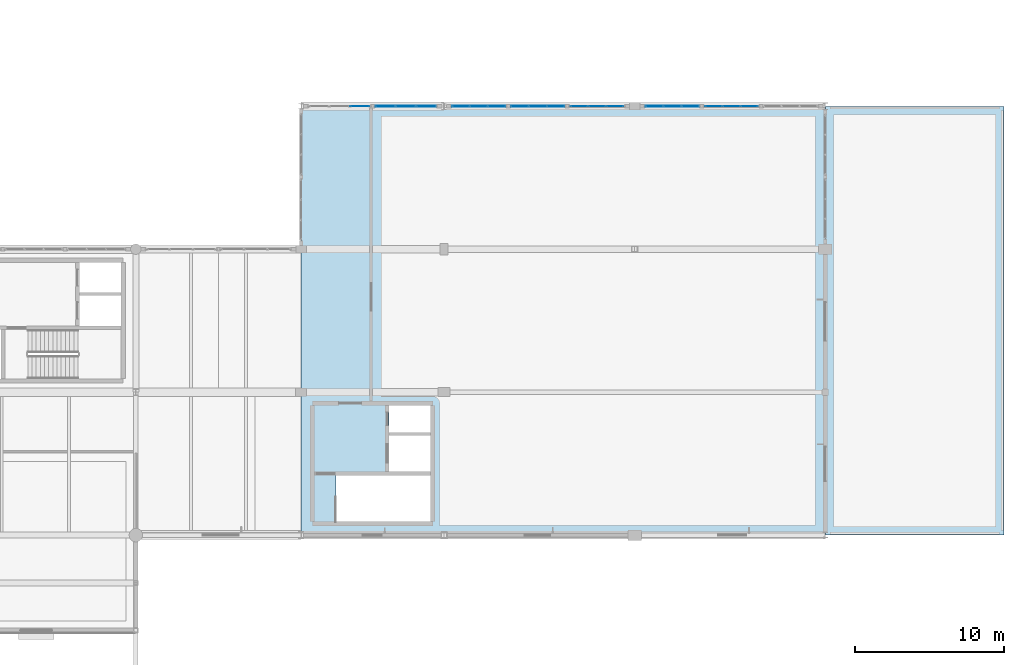
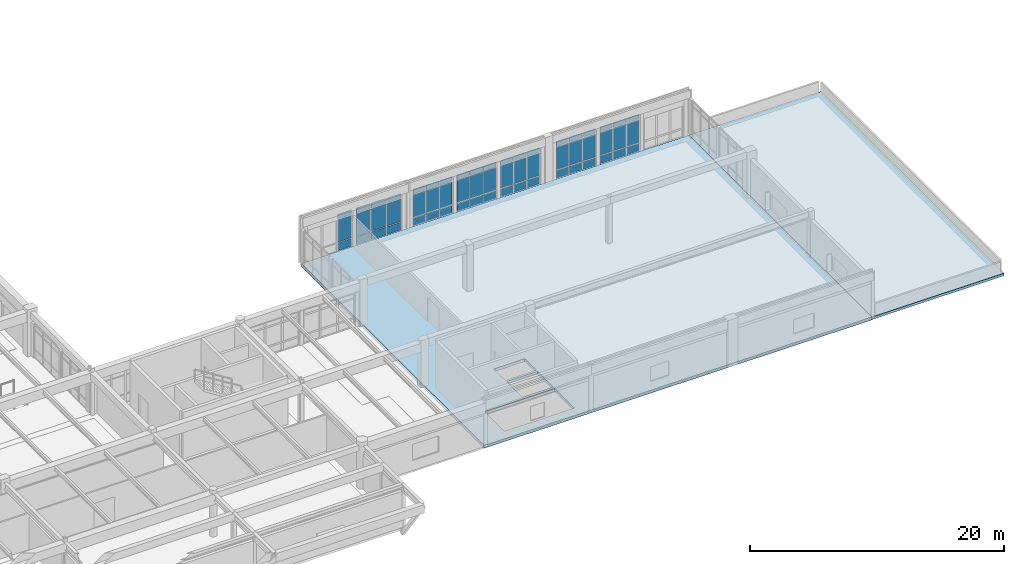
# One storey, part 57 of 80: 57 plates, 2 slabs, 7 elements without a shape of their own.
"""IFC4 building model written with IfcOpenShell, lengths in metres."""

from ifc_helpers import new_model, si_unit, direction, frame, origin, origin_2d, place, context, subcontext, project, spatial, polyline, rectangle, outline, extrude, material, layer, layer_set, type_object, element, aggregate, save


model = new_model("IFC4")

# Units and contexts
model_context = context("Model", 3, precision=1e-05, world=origin(), true_north=direction((0.0, 1.0)))
body_context = subcontext(model_context, "Body", "Model", "MODEL_VIEW")
ifc_project = project(units=[si_unit("LENGTHUNIT", "METRE"), si_unit("AREAUNIT", "SQUARE_METRE"), si_unit("VOLUMEUNIT", "CUBIC_METRE"), si_unit("PLANEANGLEUNIT", "RADIAN"), si_unit("MASSUNIT", "GRAM", prefix="KILO")], contexts=[model_context])

# Site, building, storey
site_placement = place(None, origin())
site = spatial("IfcSite", under=ifc_project, at=site_placement, CompositionType="ELEMENT")
building_placement = place(site_placement, origin())
building = spatial("IfcBuilding", under=site, at=building_placement, Name="Fikremerkos Civic Library", CompositionType="ELEMENT")
storey_placement = place(building_placement, frame((0.0, 0.0, 9.89990234375)))
storey = spatial("IfcBuildingStorey", under=building, at=storey_placement, Name="L02", CompositionType="ELEMENT", Elevation=9.89990234375)

# Curtain wall, plates
ifc_material_1 = material(Name="Anodized aluminium Frame", Category="aluminium")
ifc_layer_1 = layer(ifc_material_1, 0.159912109375, Name="Anodized aluminium Frame")
ifc_layer_set_1 = layer_set([ifc_layer_1], Name="Anodized aluminium Frame")
curtain_wall_type_1 = type_object("IfcCurtainWallType", Name="Unitised curtain wall CW-13 3700x3200", PredefinedType="USERDEFINED", material=ifc_layer_set_1)
curtain_wall_1_placement = place(storey_placement, origin())
curtain_wall_1 = element("IfcCurtainWall", 1, at=curtain_wall_1_placement, inside=storey, type_object=curtain_wall_type_1, Name="Unitised curtain wall CW-13 L02 #175", ObjectType="UNITISED CURTAIN WALL", PredefinedType="USERDEFINED")
ifc_material_2 = material(Name="Solar control double glazing", Category="glass")
ifc_layer_2 = layer(ifc_material_2, 0.028076171875, Name="Solar control double glazing")
ifc_layer_set_2 = layer_set([ifc_layer_2], Name="Solar control double glazing")
plate_type_1 = type_object("IfcPlateType", Name="Curtain glazing panel CWP-01 28", PredefinedType="CURTAIN_PANEL", material=ifc_layer_set_2)
plate_1_placement = place(storey_placement, frame((128.74169921875, 40.800048828125, 0.06005859375), z_axis=(0.0, 0.0, 1.0), x_axis=(1.0, 0.0, 0.0)))
plate_1 = element("IfcPlate", 2, at=plate_1_placement, type_object=plate_type_1, Name="CW-13 panel 3.1", PredefinedType="CURTAIN_PANEL", context=body_context, shape_type="SweptSolid", body=[
    extrude(rectangle(XDim=1.28662109375, YDim=0.028076171875, at=origin_2d()), origin(), (0.0, 0.0, 1.0), 0.760009765625),
])
plate_2_placement = place(storey_placement, frame((128.74169921875, 40.800048828125, 0.88037109375), z_axis=(0.0, 0.0, 1.0), x_axis=(1.0, 0.0, 0.0)))
plate_2 = element("IfcPlate", 3, at=plate_2_placement, type_object=plate_type_1, Name="CW-13 panel 3.2", PredefinedType="CURTAIN_PANEL", context=body_context, shape_type="SweptSolid", body=[
    extrude(rectangle(XDim=1.28662109375, YDim=0.028076171875, at=origin_2d()), origin(), (0.0, 0.0, 1.0), 2.159912109375),
])
plate_3_placement = place(storey_placement, frame((128.74169921875, 40.800048828125, 3.10009765625), z_axis=(0.0, 0.0, 1.0), x_axis=(1.0, 0.0, 0.0)))
plate_3 = element("IfcPlate", 4, at=plate_3_placement, type_object=plate_type_1, Name="CW-13 panel 3.3", PredefinedType="CURTAIN_PANEL", context=body_context, shape_type="SweptSolid", body=[
    extrude(rectangle(XDim=1.28662109375, YDim=0.028076171875, at=origin_2d()), origin(), (0.0, 0.0, 1.0), 0.4599609375),
])
aggregate(curtain_wall_1, [plate_1, plate_2, plate_3])

ifc_layer_3 = layer(ifc_material_1, 0.159912109375, Name="Anodized aluminium Frame")
ifc_layer_set_3 = layer_set([ifc_layer_3], Name="Anodized aluminium Frame")
curtain_wall_type_2 = type_object("IfcCurtainWallType", Name="Unitised curtain wall CW-17 4600x3600", PredefinedType="USERDEFINED", material=ifc_layer_set_3)
curtain_wall_2_placement = place(storey_placement, origin())
curtain_wall_2 = element("IfcCurtainWall", 5, at=curtain_wall_2_placement, inside=storey, type_object=curtain_wall_type_2, Name="Unitised curtain wall CW-17 L02 #179", ObjectType="UNITISED CURTAIN WALL", PredefinedType="USERDEFINED")
plate_4_placement = place(storey_placement, frame((143.461669921875, 40.800048828125, 0.070068359375), z_axis=(0.0, 0.0, 1.0), x_axis=(1.0, 0.0, 0.0)))
plate_4 = element("IfcPlate", 6, at=plate_4_placement, type_object=plate_type_1, Name="CW-17 panel 1.1", PredefinedType="CURTAIN_PANEL", context=body_context, shape_type="SweptSolid", body=[
    extrude(rectangle(XDim=1.125244140625, YDim=0.028076171875, at=origin_2d()), origin(), (0.0, 0.0, 1.0), 0.7451171875),
])
plate_5_placement = place(storey_placement, frame((143.461669921875, 40.800048828125, 0.88525390625), z_axis=(0.0, 0.0, 1.0), x_axis=(1.0, 0.0, 0.0)))
plate_5 = element("IfcPlate", 7, at=plate_5_placement, type_object=plate_type_1, Name="CW-17 panel 1.2", PredefinedType="CURTAIN_PANEL", context=body_context, shape_type="SweptSolid", body=[
    extrude(rectangle(XDim=1.125244140625, YDim=0.028076171875, at=origin_2d()), origin(), (0.0, 0.0, 1.0), 2.14990234375),
])
plate_6_placement = place(storey_placement, frame((143.461669921875, 40.800048828125, 3.10498046875), z_axis=(0.0, 0.0, 1.0), x_axis=(1.0, 0.0, 0.0)))
plate_6 = element("IfcPlate", 8, at=plate_6_placement, type_object=plate_type_1, Name="CW-17 panel 1.3", PredefinedType="CURTAIN_PANEL", context=body_context, shape_type="SweptSolid", body=[
    extrude(rectangle(XDim=1.125244140625, YDim=0.028076171875, at=origin_2d()), origin(), (0.0, 0.0, 1.0), 0.445068359375),
])
plate_7_placement = place(storey_placement, frame((144.66796875, 40.800048828125, 0.070068359375), z_axis=(0.0, 0.0, 1.0), x_axis=(1.0, 0.0, 0.0)))
plate_7 = element("IfcPlate", 9, at=plate_7_placement, type_object=plate_type_1, Name="CW-17 panel 2.1", PredefinedType="CURTAIN_PANEL", context=body_context, shape_type="SweptSolid", body=[
    extrude(rectangle(XDim=1.15771484375, YDim=0.028076171875, at=origin_2d()), origin(), (0.0, 0.0, 1.0), 0.7451171875),
])
plate_8_placement = place(storey_placement, frame((144.66796875, 40.800048828125, 0.88525390625), z_axis=(0.0, 0.0, 1.0), x_axis=(1.0, 0.0, 0.0)))
plate_8 = element("IfcPlate", 10, at=plate_8_placement, type_object=plate_type_1, Name="CW-17 panel 2.2", PredefinedType="CURTAIN_PANEL", context=body_context, shape_type="SweptSolid", body=[
    extrude(rectangle(XDim=1.15771484375, YDim=0.028076171875, at=origin_2d()), origin(), (0.0, 0.0, 1.0), 2.14990234375),
])
plate_9_placement = place(storey_placement, frame((144.66796875, 40.800048828125, 3.10498046875), z_axis=(0.0, 0.0, 1.0), x_axis=(1.0, 0.0, 0.0)))
plate_9 = element("IfcPlate", 11, at=plate_9_placement, type_object=plate_type_1, Name="CW-17 panel 2.3", PredefinedType="CURTAIN_PANEL", context=body_context, shape_type="SweptSolid", body=[
    extrude(rectangle(XDim=1.15771484375, YDim=0.028076171875, at=origin_2d()), origin(), (0.0, 0.0, 1.0), 0.445068359375),
])
plate_10_placement = place(storey_placement, frame((145.87451171875, 40.800048828125, 0.070068359375), z_axis=(0.0, 0.0, 1.0), x_axis=(1.0, 0.0, 0.0)))
plate_10 = element("IfcPlate", 12, at=plate_10_placement, type_object=plate_type_1, Name="CW-17 panel 3.1", PredefinedType="CURTAIN_PANEL", context=body_context, shape_type="SweptSolid", body=[
    extrude(rectangle(XDim=1.125244140625, YDim=0.028076171875, at=origin_2d()), origin(), (0.0, 0.0, 1.0), 0.7451171875),
])
plate_11_placement = place(storey_placement, frame((145.87451171875, 40.800048828125, 0.88525390625), z_axis=(0.0, 0.0, 1.0), x_axis=(1.0, 0.0, 0.0)))
plate_11 = element("IfcPlate", 13, at=plate_11_placement, type_object=plate_type_1, Name="CW-17 panel 3.2", PredefinedType="CURTAIN_PANEL", context=body_context, shape_type="SweptSolid", body=[
    extrude(rectangle(XDim=1.125244140625, YDim=0.028076171875, at=origin_2d()), origin(), (0.0, 0.0, 1.0), 2.14990234375),
])
plate_12_placement = place(storey_placement, frame((145.87451171875, 40.800048828125, 3.10498046875), z_axis=(0.0, 0.0, 1.0), x_axis=(1.0, 0.0, 0.0)))
plate_12 = element("IfcPlate", 14, at=plate_12_placement, type_object=plate_type_1, Name="CW-17 panel 3.3", PredefinedType="CURTAIN_PANEL", context=body_context, shape_type="SweptSolid", body=[
    extrude(rectangle(XDim=1.125244140625, YDim=0.028076171875, at=origin_2d()), origin(), (0.0, 0.0, 1.0), 0.445068359375),
])
aggregate(curtain_wall_2, [plate_4, plate_5, plate_6, plate_7, plate_8, plate_9, plate_10, plate_11, plate_12])

ifc_layer_4 = layer(ifc_material_1, 0.159912109375, Name="Anodized aluminium Frame")
ifc_layer_set_4 = layer_set([ifc_layer_4], Name="Anodized aluminium Frame")
curtain_wall_type_3 = type_object("IfcCurtainWallType", Name="Unitised curtain wall CW-01 3600x3600", PredefinedType="USERDEFINED", material=ifc_layer_set_4)
curtain_wall_3_placement = place(storey_placement, origin())
curtain_wall_3 = element("IfcCurtainWall", 15, at=curtain_wall_3_placement, inside=storey, type_object=curtain_wall_type_3, Name="Unitised curtain wall CW-01 L02 #181", ObjectType="UNITISED CURTAIN WALL", PredefinedType="USERDEFINED")
plate_13_placement = place(storey_placement, frame((152.49365234375, 40.800048828125, 0.070068359375), z_axis=(0.0, 0.0, 1.0), x_axis=(1.0, 0.0, 0.0)))
plate_13 = element("IfcPlate", 16, at=plate_13_placement, type_object=plate_type_1, Name="CW-01 panel 1.1", PredefinedType="CURTAIN_PANEL", context=body_context, shape_type="SweptSolid", body=[
    extrude(rectangle(XDim=1.125244140625, YDim=0.028076171875, at=origin_2d()), origin(), (0.0, 0.0, 1.0), 0.7451171875),
])
plate_14_placement = place(storey_placement, frame((152.49365234375, 40.800048828125, 0.88525390625), z_axis=(0.0, 0.0, 1.0), x_axis=(1.0, 0.0, 0.0)))
plate_14 = element("IfcPlate", 17, at=plate_14_placement, type_object=plate_type_1, Name="CW-01 panel 1.2", PredefinedType="CURTAIN_PANEL", context=body_context, shape_type="SweptSolid", body=[
    extrude(rectangle(XDim=1.125244140625, YDim=0.028076171875, at=origin_2d()), origin(), (0.0, 0.0, 1.0), 2.199951171875),
])
plate_15_placement = place(storey_placement, frame((152.49365234375, 40.800048828125, 3.1552734375), z_axis=(0.0, 0.0, 1.0), x_axis=(1.0, 0.0, 0.0)))
plate_15 = element("IfcPlate", 18, at=plate_15_placement, type_object=plate_type_1, Name="CW-01 panel 1.3", PredefinedType="CURTAIN_PANEL", context=body_context, shape_type="SweptSolid", body=[
    extrude(rectangle(XDim=1.125244140625, YDim=0.028076171875, at=origin_2d()), origin(), (0.0, 0.0, 1.0), 0.445068359375),
])
plate_16_placement = place(storey_placement, frame((153.699951171875, 40.800048828125, 0.070068359375), z_axis=(0.0, 0.0, 1.0), x_axis=(1.0, 0.0, 0.0)))
plate_16 = element("IfcPlate", 19, at=plate_16_placement, type_object=plate_type_1, Name="CW-01 panel 2.1", PredefinedType="CURTAIN_PANEL", context=body_context, shape_type="SweptSolid", body=[
    extrude(rectangle(XDim=1.15771484375, YDim=0.028076171875, at=origin_2d()), origin(), (0.0, 0.0, 1.0), 0.7451171875),
])
plate_17_placement = place(storey_placement, frame((153.699951171875, 40.800048828125, 0.88525390625), z_axis=(0.0, 0.0, 1.0), x_axis=(1.0, 0.0, 0.0)))
plate_17 = element("IfcPlate", 20, at=plate_17_placement, type_object=plate_type_1, Name="CW-01 panel 2.2", PredefinedType="CURTAIN_PANEL", context=body_context, shape_type="SweptSolid", body=[
    extrude(rectangle(XDim=1.15771484375, YDim=0.028076171875, at=origin_2d()), origin(), (0.0, 0.0, 1.0), 2.199951171875),
])
plate_18_placement = place(storey_placement, frame((153.699951171875, 40.800048828125, 3.1552734375), z_axis=(0.0, 0.0, 1.0), x_axis=(1.0, 0.0, 0.0)))
plate_18 = element("IfcPlate", 21, at=plate_18_placement, type_object=plate_type_1, Name="CW-01 panel 2.3", PredefinedType="CURTAIN_PANEL", context=body_context, shape_type="SweptSolid", body=[
    extrude(rectangle(XDim=1.15771484375, YDim=0.028076171875, at=origin_2d()), origin(), (0.0, 0.0, 1.0), 0.445068359375),
])
plate_19_placement = place(storey_placement, frame((154.906494140625, 40.800048828125, 0.070068359375), z_axis=(0.0, 0.0, 1.0), x_axis=(1.0, 0.0, 0.0)))
plate_19 = element("IfcPlate", 22, at=plate_19_placement, type_object=plate_type_1, Name="CW-01 panel 3.1", PredefinedType="CURTAIN_PANEL", context=body_context, shape_type="SweptSolid", body=[
    extrude(rectangle(XDim=1.125244140625, YDim=0.028076171875, at=origin_2d()), origin(), (0.0, 0.0, 1.0), 0.7451171875),
])
plate_20_placement = place(storey_placement, frame((154.906494140625, 40.800048828125, 0.88525390625), z_axis=(0.0, 0.0, 1.0), x_axis=(1.0, 0.0, 0.0)))
plate_20 = element("IfcPlate", 23, at=plate_20_placement, type_object=plate_type_1, Name="CW-01 panel 3.2", PredefinedType="CURTAIN_PANEL", context=body_context, shape_type="SweptSolid", body=[
    extrude(rectangle(XDim=1.125244140625, YDim=0.028076171875, at=origin_2d()), origin(), (0.0, 0.0, 1.0), 2.199951171875),
])
plate_21_placement = place(storey_placement, frame((154.906494140625, 40.800048828125, 3.1552734375), z_axis=(0.0, 0.0, 1.0), x_axis=(1.0, 0.0, 0.0)))
plate_21 = element("IfcPlate", 24, at=plate_21_placement, type_object=plate_type_1, Name="CW-01 panel 3.3", PredefinedType="CURTAIN_PANEL", context=body_context, shape_type="SweptSolid", body=[
    extrude(rectangle(XDim=1.125244140625, YDim=0.028076171875, at=origin_2d()), origin(), (0.0, 0.0, 1.0), 0.445068359375),
])
aggregate(curtain_wall_3, [plate_13, plate_14, plate_15, plate_16, plate_17, plate_18, plate_19, plate_20, plate_21])

ifc_layer_5 = layer(ifc_material_1, 0.159912109375, Name="Anodized aluminium Frame")
ifc_layer_set_5 = layer_set([ifc_layer_5], Name="Anodized aluminium Frame")
curtain_wall_type_4 = type_object("IfcCurtainWallType", Name="Unitised curtain wall CW-14 4100x3200", PredefinedType="USERDEFINED", material=ifc_layer_set_5)
curtain_wall_4_placement = place(storey_placement, origin())
curtain_wall_4 = element("IfcCurtainWall", 25, at=curtain_wall_4_placement, inside=storey, type_object=curtain_wall_type_4, Name="Unitised curtain wall CW-14 L02 #176", ObjectType="UNITISED CURTAIN WALL", PredefinedType="USERDEFINED")
ifc_layer_6 = layer(ifc_material_2, 0.035888671875, Name="Solar control double glazing")
ifc_layer_set_6 = layer_set([ifc_layer_6], Name="Solar control double glazing")
plate_type_2 = type_object("IfcPlateType", Name="Curtain glazing panel CWP-02 36", PredefinedType="CURTAIN_PANEL", material=ifc_layer_set_6)
plate_22_placement = place(storey_placement, frame((130.45703125, 40.800048828125, 0.06005859375), z_axis=(0.0, 0.0, 1.0), x_axis=(1.0, 0.0, 0.0)))
plate_22 = element("IfcPlate", 26, at=plate_22_placement, type_object=plate_type_2, Name="CW-14 panel 1.1", PredefinedType="CURTAIN_PANEL", context=body_context, shape_type="SweptSolid", body=[
    extrude(rectangle(XDim=1.2939453125, YDim=0.035888671875, at=origin_2d()), origin(), (0.0, 0.0, 1.0), 0.760009765625),
])
plate_23_placement = place(storey_placement, frame((130.45703125, 40.800048828125, 0.88037109375), z_axis=(0.0, 0.0, 1.0), x_axis=(1.0, 0.0, 0.0)))
plate_23 = element("IfcPlate", 27, at=plate_23_placement, type_object=plate_type_2, Name="CW-14 panel 1.2", PredefinedType="CURTAIN_PANEL", context=body_context, shape_type="SweptSolid", body=[
    extrude(rectangle(XDim=1.2939453125, YDim=0.035888671875, at=origin_2d()), origin(), (0.0, 0.0, 1.0), 2.159912109375),
])
plate_24_placement = place(storey_placement, frame((130.45703125, 40.800048828125, 3.10009765625), z_axis=(0.0, 0.0, 1.0), x_axis=(1.0, 0.0, 0.0)))
plate_24 = element("IfcPlate", 28, at=plate_24_placement, type_object=plate_type_2, Name="CW-14 panel 1.3", PredefinedType="CURTAIN_PANEL", context=body_context, shape_type="SweptSolid", body=[
    extrude(rectangle(XDim=1.2939453125, YDim=0.035888671875, at=origin_2d()), origin(), (0.0, 0.0, 1.0), 0.4599609375),
])
plate_25_placement = place(storey_placement, frame((131.825927734375, 40.800048828125, 0.06005859375), z_axis=(0.0, 0.0, 1.0), x_axis=(1.0, 0.0, 0.0)))
plate_25 = element("IfcPlate", 29, at=plate_25_placement, type_object=plate_type_2, Name="CW-14 panel 2.1", PredefinedType="CURTAIN_PANEL", context=body_context, shape_type="SweptSolid", body=[
    extrude(rectangle(XDim=1.323974609375, YDim=0.035888671875, at=origin_2d()), origin(), (0.0, 0.0, 1.0), 0.760009765625),
])
plate_26_placement = place(storey_placement, frame((131.825927734375, 40.800048828125, 0.88037109375), z_axis=(0.0, 0.0, 1.0), x_axis=(1.0, 0.0, 0.0)))
plate_26 = element("IfcPlate", 30, at=plate_26_placement, type_object=plate_type_2, Name="CW-14 panel 2.2", PredefinedType="CURTAIN_PANEL", context=body_context, shape_type="SweptSolid", body=[
    extrude(rectangle(XDim=1.323974609375, YDim=0.035888671875, at=origin_2d()), origin(), (0.0, 0.0, 1.0), 2.159912109375),
])
plate_27_placement = place(storey_placement, frame((131.825927734375, 40.800048828125, 3.10009765625), z_axis=(0.0, 0.0, 1.0), x_axis=(1.0, 0.0, 0.0)))
plate_27 = element("IfcPlate", 31, at=plate_27_placement, type_object=plate_type_2, Name="CW-14 panel 2.3", PredefinedType="CURTAIN_PANEL", context=body_context, shape_type="SweptSolid", body=[
    extrude(rectangle(XDim=1.323974609375, YDim=0.035888671875, at=origin_2d()), origin(), (0.0, 0.0, 1.0), 0.4599609375),
])
plate_28_placement = place(storey_placement, frame((133.195068359375, 40.800048828125, 0.06005859375), z_axis=(0.0, 0.0, 1.0), x_axis=(1.0, 0.0, 0.0)))
plate_28 = element("IfcPlate", 32, at=plate_28_placement, type_object=plate_type_2, Name="CW-14 panel 3.1", PredefinedType="CURTAIN_PANEL", context=body_context, shape_type="SweptSolid", body=[
    extrude(rectangle(XDim=1.2939453125, YDim=0.035888671875, at=origin_2d()), origin(), (0.0, 0.0, 1.0), 0.760009765625),
])
plate_29_placement = place(storey_placement, frame((133.195068359375, 40.800048828125, 0.88037109375), z_axis=(0.0, 0.0, 1.0), x_axis=(1.0, 0.0, 0.0)))
plate_29 = element("IfcPlate", 33, at=plate_29_placement, type_object=plate_type_2, Name="CW-14 panel 3.2", PredefinedType="CURTAIN_PANEL", context=body_context, shape_type="SweptSolid", body=[
    extrude(rectangle(XDim=1.2939453125, YDim=0.035888671875, at=origin_2d()), origin(), (0.0, 0.0, 1.0), 2.159912109375),
])
plate_30_placement = place(storey_placement, frame((133.195068359375, 40.800048828125, 3.10009765625), z_axis=(0.0, 0.0, 1.0), x_axis=(1.0, 0.0, 0.0)))
plate_30 = element("IfcPlate", 34, at=plate_30_placement, type_object=plate_type_2, Name="CW-14 panel 3.3", PredefinedType="CURTAIN_PANEL", context=body_context, shape_type="SweptSolid", body=[
    extrude(rectangle(XDim=1.2939453125, YDim=0.035888671875, at=origin_2d()), origin(), (0.0, 0.0, 1.0), 0.4599609375),
])
aggregate(curtain_wall_4, [plate_22, plate_23, plate_24, plate_25, plate_26, plate_27, plate_28, plate_29, plate_30])

ifc_layer_7 = layer(ifc_material_1, 0.159912109375, Name="Anodized aluminium Frame")
ifc_layer_set_7 = layer_set([ifc_layer_7], Name="Anodized aluminium Frame")
curtain_wall_type_5 = type_object("IfcCurtainWallType", Name="Unitised curtain wall CW-18 2700x3400", PredefinedType="USERDEFINED", material=ifc_layer_set_7)
curtain_wall_5_placement = place(storey_placement, origin())
curtain_wall_5 = element("IfcCurtainWall", 35, at=curtain_wall_5_placement, inside=storey, type_object=curtain_wall_type_5, Name="Unitised curtain wall CW-18 L02 #180", ObjectType="UNITISED CURTAIN WALL", PredefinedType="USERDEFINED")
plate_31_placement = place(storey_placement, frame((148.5244140625, 40.800048828125, 0.070068359375), z_axis=(0.0, 0.0, 1.0), x_axis=(1.0, 0.0, 0.0)))
plate_31 = element("IfcPlate", 36, at=plate_31_placement, type_object=plate_type_2, Name="CW-18 panel 1.1", PredefinedType="CURTAIN_PANEL", context=body_context, shape_type="SweptSolid", body=[
    extrude(rectangle(XDim=1.132568359375, YDim=0.035888671875, at=origin_2d()), origin(), (0.0, 0.0, 1.0), 0.7451171875),
])
plate_32_placement = place(storey_placement, frame((148.5244140625, 40.800048828125, 0.88525390625), z_axis=(0.0, 0.0, 1.0), x_axis=(1.0, 0.0, 0.0)))
plate_32 = element("IfcPlate", 37, at=plate_32_placement, type_object=plate_type_2, Name="CW-18 panel 1.2", PredefinedType="CURTAIN_PANEL", context=body_context, shape_type="SweptSolid", body=[
    extrude(rectangle(XDim=1.132568359375, YDim=0.035888671875, at=origin_2d()), origin(), (0.0, 0.0, 1.0), 2.199951171875),
])
plate_33_placement = place(storey_placement, frame((148.5244140625, 40.800048828125, 3.1552734375), z_axis=(0.0, 0.0, 1.0), x_axis=(1.0, 0.0, 0.0)))
plate_33 = element("IfcPlate", 38, at=plate_33_placement, type_object=plate_type_2, Name="CW-18 panel 1.3", PredefinedType="CURTAIN_PANEL", context=body_context, shape_type="SweptSolid", body=[
    extrude(rectangle(XDim=1.132568359375, YDim=0.035888671875, at=origin_2d()), origin(), (0.0, 0.0, 1.0), 0.445068359375),
])
plate_34_placement = place(storey_placement, frame((149.73193359375, 40.800048828125, 0.070068359375), z_axis=(0.0, 0.0, 1.0), x_axis=(1.0, 0.0, 0.0)))
plate_34 = element("IfcPlate", 39, at=plate_34_placement, type_object=plate_type_2, Name="CW-18 panel 2.1", PredefinedType="CURTAIN_PANEL", context=body_context, shape_type="SweptSolid", body=[
    extrude(rectangle(XDim=1.16259765625, YDim=0.035888671875, at=origin_2d()), origin(), (0.0, 0.0, 1.0), 0.7451171875),
])
plate_35_placement = place(storey_placement, frame((149.73193359375, 40.800048828125, 0.88525390625), z_axis=(0.0, 0.0, 1.0), x_axis=(1.0, 0.0, 0.0)))
plate_35 = element("IfcPlate", 40, at=plate_35_placement, type_object=plate_type_2, Name="CW-18 panel 2.2", PredefinedType="CURTAIN_PANEL", context=body_context, shape_type="SweptSolid", body=[
    extrude(rectangle(XDim=1.16259765625, YDim=0.035888671875, at=origin_2d()), origin(), (0.0, 0.0, 1.0), 2.199951171875),
])
plate_36_placement = place(storey_placement, frame((149.73193359375, 40.800048828125, 3.1552734375), z_axis=(0.0, 0.0, 1.0), x_axis=(1.0, 0.0, 0.0)))
plate_36 = element("IfcPlate", 41, at=plate_36_placement, type_object=plate_type_2, Name="CW-18 panel 2.3", PredefinedType="CURTAIN_PANEL", context=body_context, shape_type="SweptSolid", body=[
    extrude(rectangle(XDim=1.16259765625, YDim=0.035888671875, at=origin_2d()), origin(), (0.0, 0.0, 1.0), 0.445068359375),
])
plate_37_placement = place(storey_placement, frame((150.939697265625, 40.800048828125, 0.070068359375), z_axis=(0.0, 0.0, 1.0), x_axis=(1.0, 0.0, 0.0)))
plate_37 = element("IfcPlate", 42, at=plate_37_placement, type_object=plate_type_2, Name="CW-18 panel 3.1", PredefinedType="CURTAIN_PANEL", context=body_context, shape_type="SweptSolid", body=[
    extrude(rectangle(XDim=1.132568359375, YDim=0.035888671875, at=origin_2d()), origin(), (0.0, 0.0, 1.0), 0.7451171875),
])
plate_38_placement = place(storey_placement, frame((150.939697265625, 40.800048828125, 0.88525390625), z_axis=(0.0, 0.0, 1.0), x_axis=(1.0, 0.0, 0.0)))
plate_38 = element("IfcPlate", 43, at=plate_38_placement, type_object=plate_type_2, Name="CW-18 panel 3.2", PredefinedType="CURTAIN_PANEL", context=body_context, shape_type="SweptSolid", body=[
    extrude(rectangle(XDim=1.132568359375, YDim=0.035888671875, at=origin_2d()), origin(), (0.0, 0.0, 1.0), 2.199951171875),
])
plate_39_placement = place(storey_placement, frame((150.939697265625, 40.800048828125, 3.1552734375), z_axis=(0.0, 0.0, 1.0), x_axis=(1.0, 0.0, 0.0)))
plate_39 = element("IfcPlate", 44, at=plate_39_placement, type_object=plate_type_2, Name="CW-18 panel 3.3", PredefinedType="CURTAIN_PANEL", context=body_context, shape_type="SweptSolid", body=[
    extrude(rectangle(XDim=1.132568359375, YDim=0.035888671875, at=origin_2d()), origin(), (0.0, 0.0, 1.0), 0.445068359375),
])
aggregate(curtain_wall_5, [plate_31, plate_32, plate_33, plate_34, plate_35, plate_36, plate_37, plate_38, plate_39])

ifc_layer_8 = layer(ifc_material_1, 0.159912109375, Name="Anodized aluminium Frame")
ifc_layer_set_8 = layer_set([ifc_layer_8], Name="Anodized aluminium Frame")
curtain_wall_type_6 = type_object("IfcCurtainWallType", Name="Unitised curtain wall CW-15 2900x3600", PredefinedType="USERDEFINED", material=ifc_layer_set_8)
curtain_wall_6_placement = place(storey_placement, origin())
curtain_wall_6 = element("IfcCurtainWall", 45, at=curtain_wall_6_placement, inside=storey, type_object=curtain_wall_type_6, Name="Unitised curtain wall CW-15 L02 #177", ObjectType="UNITISED CURTAIN WALL", PredefinedType="USERDEFINED")
ifc_material_3 = material(Name="Insulated aluminium spandrel", Category="aluminium")
ifc_layer_9 = layer(ifc_material_3, 0.044921875, Name="Insulated aluminium spandrel")
ifc_layer_set_9 = layer_set([ifc_layer_9], Name="Insulated aluminium spandrel")
plate_type_3 = type_object("IfcPlateType", Name="Curtain spandrel panel CSP-01 45", PredefinedType="CURTAIN_PANEL", material=ifc_layer_set_9)
plate_40_placement = place(storey_placement, frame((135.5244140625, 40.800048828125, 0.070068359375), z_axis=(0.0, 0.0, 1.0), x_axis=(1.0, 0.0, 0.0)))
plate_40 = element("IfcPlate", 46, at=plate_40_placement, type_object=plate_type_3, Name="CW-15 panel 1.1", PredefinedType="CURTAIN_PANEL", context=body_context, shape_type="SweptSolid", body=[
    extrude(rectangle(XDim=1.132568359375, YDim=0.044921875, at=origin_2d()), origin(), (0.0, 0.0, 1.0), 0.7451171875),
])
plate_41_placement = place(storey_placement, frame((135.5244140625, 40.800048828125, 0.88525390625), z_axis=(0.0, 0.0, 1.0), x_axis=(1.0, 0.0, 0.0)))
plate_41 = element("IfcPlate", 47, at=plate_41_placement, type_object=plate_type_3, Name="CW-15 panel 1.2", PredefinedType="CURTAIN_PANEL", context=body_context, shape_type="SweptSolid", body=[
    extrude(rectangle(XDim=1.132568359375, YDim=0.044921875, at=origin_2d()), origin(), (0.0, 0.0, 1.0), 2.14990234375),
])
plate_42_placement = place(storey_placement, frame((135.5244140625, 40.800048828125, 3.10498046875), z_axis=(0.0, 0.0, 1.0), x_axis=(1.0, 0.0, 0.0)))
plate_42 = element("IfcPlate", 48, at=plate_42_placement, type_object=plate_type_3, Name="CW-15 panel 1.3", PredefinedType="CURTAIN_PANEL", context=body_context, shape_type="SweptSolid", body=[
    extrude(rectangle(XDim=1.132568359375, YDim=0.044921875, at=origin_2d()), origin(), (0.0, 0.0, 1.0), 0.445068359375),
])
plate_43_placement = place(storey_placement, frame((136.73193359375, 40.800048828125, 0.070068359375), z_axis=(0.0, 0.0, 1.0), x_axis=(1.0, 0.0, 0.0)))
plate_43 = element("IfcPlate", 49, at=plate_43_placement, type_object=plate_type_3, Name="CW-15 panel 2.1", PredefinedType="CURTAIN_PANEL", context=body_context, shape_type="SweptSolid", body=[
    extrude(rectangle(XDim=1.16259765625, YDim=0.044921875, at=origin_2d()), origin(), (0.0, 0.0, 1.0), 0.7451171875),
])
plate_44_placement = place(storey_placement, frame((136.73193359375, 40.800048828125, 0.88525390625), z_axis=(0.0, 0.0, 1.0), x_axis=(1.0, 0.0, 0.0)))
plate_44 = element("IfcPlate", 50, at=plate_44_placement, type_object=plate_type_3, Name="CW-15 panel 2.2", PredefinedType="CURTAIN_PANEL", context=body_context, shape_type="SweptSolid", body=[
    extrude(rectangle(XDim=1.16259765625, YDim=0.044921875, at=origin_2d()), origin(), (0.0, 0.0, 1.0), 2.14990234375),
])
plate_45_placement = place(storey_placement, frame((136.73193359375, 40.800048828125, 3.10498046875), z_axis=(0.0, 0.0, 1.0), x_axis=(1.0, 0.0, 0.0)))
plate_45 = element("IfcPlate", 51, at=plate_45_placement, type_object=plate_type_3, Name="CW-15 panel 2.3", PredefinedType="CURTAIN_PANEL", context=body_context, shape_type="SweptSolid", body=[
    extrude(rectangle(XDim=1.16259765625, YDim=0.044921875, at=origin_2d()), origin(), (0.0, 0.0, 1.0), 0.445068359375),
])
plate_46_placement = place(storey_placement, frame((137.939697265625, 40.800048828125, 0.070068359375), z_axis=(0.0, 0.0, 1.0), x_axis=(1.0, 0.0, 0.0)))
plate_46 = element("IfcPlate", 52, at=plate_46_placement, type_object=plate_type_3, Name="CW-15 panel 3.1", PredefinedType="CURTAIN_PANEL", context=body_context, shape_type="SweptSolid", body=[
    extrude(rectangle(XDim=1.132568359375, YDim=0.044921875, at=origin_2d()), origin(), (0.0, 0.0, 1.0), 0.7451171875),
])
plate_47_placement = place(storey_placement, frame((137.939697265625, 40.800048828125, 0.88525390625), z_axis=(0.0, 0.0, 1.0), x_axis=(1.0, 0.0, 0.0)))
plate_47 = element("IfcPlate", 53, at=plate_47_placement, type_object=plate_type_3, Name="CW-15 panel 3.2", PredefinedType="CURTAIN_PANEL", context=body_context, shape_type="SweptSolid", body=[
    extrude(rectangle(XDim=1.132568359375, YDim=0.044921875, at=origin_2d()), origin(), (0.0, 0.0, 1.0), 2.14990234375),
])
plate_48_placement = place(storey_placement, frame((137.939697265625, 40.800048828125, 3.10498046875), z_axis=(0.0, 0.0, 1.0), x_axis=(1.0, 0.0, 0.0)))
plate_48 = element("IfcPlate", 54, at=plate_48_placement, type_object=plate_type_3, Name="CW-15 panel 3.3", PredefinedType="CURTAIN_PANEL", context=body_context, shape_type="SweptSolid", body=[
    extrude(rectangle(XDim=1.132568359375, YDim=0.044921875, at=origin_2d()), origin(), (0.0, 0.0, 1.0), 0.445068359375),
])
aggregate(curtain_wall_6, [plate_40, plate_41, plate_42, plate_43, plate_44, plate_45, plate_46, plate_47, plate_48])

ifc_layer_10 = layer(ifc_material_1, 0.159912109375, Name="Anodized aluminium Frame")
ifc_layer_set_10 = layer_set([ifc_layer_10], Name="Anodized aluminium Frame")
curtain_wall_type_7 = type_object("IfcCurtainWallType", Name="Unitised curtain wall CW-16 3100x4100", PredefinedType="USERDEFINED", material=ifc_layer_set_10)
curtain_wall_7_placement = place(storey_placement, origin())
curtain_wall_7 = element("IfcCurtainWall", 55, at=curtain_wall_7_placement, inside=storey, type_object=curtain_wall_type_7, Name="Unitised curtain wall CW-16 L02 #178", ObjectType="UNITISED CURTAIN WALL", PredefinedType="USERDEFINED")
ifc_layer_11 = layer(ifc_material_3, 0.054931640625, Name="Insulated aluminium spandrel")
ifc_layer_set_11 = layer_set([ifc_layer_11], Name="Insulated aluminium spandrel")
plate_type_4 = type_object("IfcPlateType", Name="Curtain spandrel panel CSP-02 55", PredefinedType="CURTAIN_PANEL", material=ifc_layer_set_11)
plate_49_placement = place(storey_placement, frame((139.492431640625, 40.800048828125, 0.070068359375), z_axis=(0.0, 0.0, 1.0), x_axis=(1.0, 0.0, 0.0)))
plate_49 = element("IfcPlate", 56, at=plate_49_placement, type_object=plate_type_4, Name="CW-16 panel 1.1", PredefinedType="CURTAIN_PANEL", context=body_context, shape_type="SweptSolid", body=[
    extrude(rectangle(XDim=1.132568359375, YDim=0.054931640625, at=origin_2d()), origin(), (0.0, 0.0, 1.0), 0.7451171875),
])
plate_50_placement = place(storey_placement, frame((139.492431640625, 40.800048828125, 0.88525390625), z_axis=(0.0, 0.0, 1.0), x_axis=(1.0, 0.0, 0.0)))
plate_50 = element("IfcPlate", 57, at=plate_50_placement, type_object=plate_type_4, Name="CW-16 panel 1.2", PredefinedType="CURTAIN_PANEL", context=body_context, shape_type="SweptSolid", body=[
    extrude(rectangle(XDim=1.132568359375, YDim=0.054931640625, at=origin_2d()), origin(), (0.0, 0.0, 1.0), 2.14990234375),
])
plate_51_placement = place(storey_placement, frame((139.492431640625, 40.800048828125, 3.10498046875), z_axis=(0.0, 0.0, 1.0), x_axis=(1.0, 0.0, 0.0)))
plate_51 = element("IfcPlate", 58, at=plate_51_placement, type_object=plate_type_4, Name="CW-16 panel 1.3", PredefinedType="CURTAIN_PANEL", context=body_context, shape_type="SweptSolid", body=[
    extrude(rectangle(XDim=1.132568359375, YDim=0.054931640625, at=origin_2d()), origin(), (0.0, 0.0, 1.0), 0.445068359375),
])
plate_52_placement = place(storey_placement, frame((140.699951171875, 40.800048828125, 0.070068359375), z_axis=(0.0, 0.0, 1.0), x_axis=(1.0, 0.0, 0.0)))
plate_52 = element("IfcPlate", 59, at=plate_52_placement, type_object=plate_type_4, Name="CW-16 panel 2.1", PredefinedType="CURTAIN_PANEL", context=body_context, shape_type="SweptSolid", body=[
    extrude(rectangle(XDim=1.16259765625, YDim=0.054931640625, at=origin_2d()), origin(), (0.0, 0.0, 1.0), 0.7451171875),
])
plate_53_placement = place(storey_placement, frame((140.699951171875, 40.800048828125, 0.88525390625), z_axis=(0.0, 0.0, 1.0), x_axis=(1.0, 0.0, 0.0)))
plate_53 = element("IfcPlate", 60, at=plate_53_placement, type_object=plate_type_4, Name="CW-16 panel 2.2", PredefinedType="CURTAIN_PANEL", context=body_context, shape_type="SweptSolid", body=[
    extrude(rectangle(XDim=1.16259765625, YDim=0.054931640625, at=origin_2d()), origin(), (0.0, 0.0, 1.0), 2.14990234375),
])
plate_54_placement = place(storey_placement, frame((140.699951171875, 40.800048828125, 3.10498046875), z_axis=(0.0, 0.0, 1.0), x_axis=(1.0, 0.0, 0.0)))
plate_54 = element("IfcPlate", 61, at=plate_54_placement, type_object=plate_type_4, Name="CW-16 panel 2.3", PredefinedType="CURTAIN_PANEL", context=body_context, shape_type="SweptSolid", body=[
    extrude(rectangle(XDim=1.16259765625, YDim=0.054931640625, at=origin_2d()), origin(), (0.0, 0.0, 1.0), 0.445068359375),
])
plate_55_placement = place(storey_placement, frame((141.90771484375, 40.800048828125, 0.070068359375), z_axis=(0.0, 0.0, 1.0), x_axis=(1.0, 0.0, 0.0)))
plate_55 = element("IfcPlate", 62, at=plate_55_placement, type_object=plate_type_4, Name="CW-16 panel 3.1", PredefinedType="CURTAIN_PANEL", context=body_context, shape_type="SweptSolid", body=[
    extrude(rectangle(XDim=1.132568359375, YDim=0.054931640625, at=origin_2d()), origin(), (0.0, 0.0, 1.0), 0.7451171875),
])
plate_56_placement = place(storey_placement, frame((141.90771484375, 40.800048828125, 0.88525390625), z_axis=(0.0, 0.0, 1.0), x_axis=(1.0, 0.0, 0.0)))
plate_56 = element("IfcPlate", 63, at=plate_56_placement, type_object=plate_type_4, Name="CW-16 panel 3.2", PredefinedType="CURTAIN_PANEL", context=body_context, shape_type="SweptSolid", body=[
    extrude(rectangle(XDim=1.132568359375, YDim=0.054931640625, at=origin_2d()), origin(), (0.0, 0.0, 1.0), 2.14990234375),
])
plate_57_placement = place(storey_placement, frame((141.90771484375, 40.800048828125, 3.10498046875), z_axis=(0.0, 0.0, 1.0), x_axis=(1.0, 0.0, 0.0)))
plate_57 = element("IfcPlate", 64, at=plate_57_placement, type_object=plate_type_4, Name="CW-16 panel 3.3", PredefinedType="CURTAIN_PANEL", context=body_context, shape_type="SweptSolid", body=[
    extrude(rectangle(XDim=1.132568359375, YDim=0.054931640625, at=origin_2d()), origin(), (0.0, 0.0, 1.0), 0.445068359375),
])
aggregate(curtain_wall_7, [plate_49, plate_50, plate_51, plate_52, plate_53, plate_54, plate_55, plate_56, plate_57])

# Slabs
ifc_material_4 = material(Name="Concrete C40/50", Category="concrete")
ifc_layer_12 = layer(ifc_material_4, 0.280029296875, Name="Concrete C40/50")
ifc_layer_set_12 = layer_set([ifc_layer_12], Name="Concrete C40/50")
slab_type_1 = type_object("IfcSlabType", Name="Suspended floor slab SFS-04 280", PredefinedType="FLOOR", material=ifc_layer_set_12)
slab_1_placement = place(storey_placement, frame((0.0, 0.0, -0.27978515625)))
element("IfcSlab", 65, at=slab_1_placement, inside=storey, type_object=slab_type_1, Name="Floor slab SFS-04 SLB-L02-V3-M-1", PredefinedType="FLOOR", context=body_context, shape_type="SweptSolid", body=[
    extrude(outline(polyline([(124.800048828125, 12.0), (160.0, 12.0), (160.0, 40.800048828125), (124.800048828125, 40.800048828125), (124.800048828125, 12.0)]), holes=[polyline([(127.14990234375, 12.89990234375), (133.5, 12.89990234375), (133.5, 16.0), (127.14990234375, 16.0), (127.14990234375, 12.89990234375)]), polyline([(130.699951171875, 16.260009765625), (133.5, 16.260009765625), (133.5, 18.699951171875), (130.699951171875, 18.699951171875), (130.699951171875, 16.260009765625)]), polyline([(130.699951171875, 18.89990234375), (133.5, 18.89990234375), (133.5, 20.699951171875), (130.699951171875, 20.699951171875), (130.699951171875, 18.89990234375)])]), origin(), (0.0, 0.0, 1.0), 0.27978515625),
])
ifc_layer_13 = layer(ifc_material_4, 0.239990234375, Name="Concrete C40/50")
ifc_layer_set_13 = layer_set([ifc_layer_13], Name="Concrete C40/50")
slab_type_2 = type_object("IfcSlabType", Name="Wing roof slab WRS-03 240", PredefinedType="ROOF", material=ifc_layer_set_13)
slab_2_placement = place(storey_placement, frame((0.0, 0.0, -0.239990234375)))
element("IfcSlab", 66, at=slab_2_placement, inside=storey, type_object=slab_type_2, Name="Wing roof slab WRS-03 RF-L02-V3E", PredefinedType="ROOF", context=body_context, shape_type="SweptSolid", body=[
    extrude(outline(polyline([(160.0, 12.0), (172.0, 12.0), (172.0, 40.800048828125), (160.0, 40.800048828125), (160.0, 12.0)])), origin(), (0.0, 0.0, 1.0), 0.239990234375),
])

save(model, "model.ifc")
